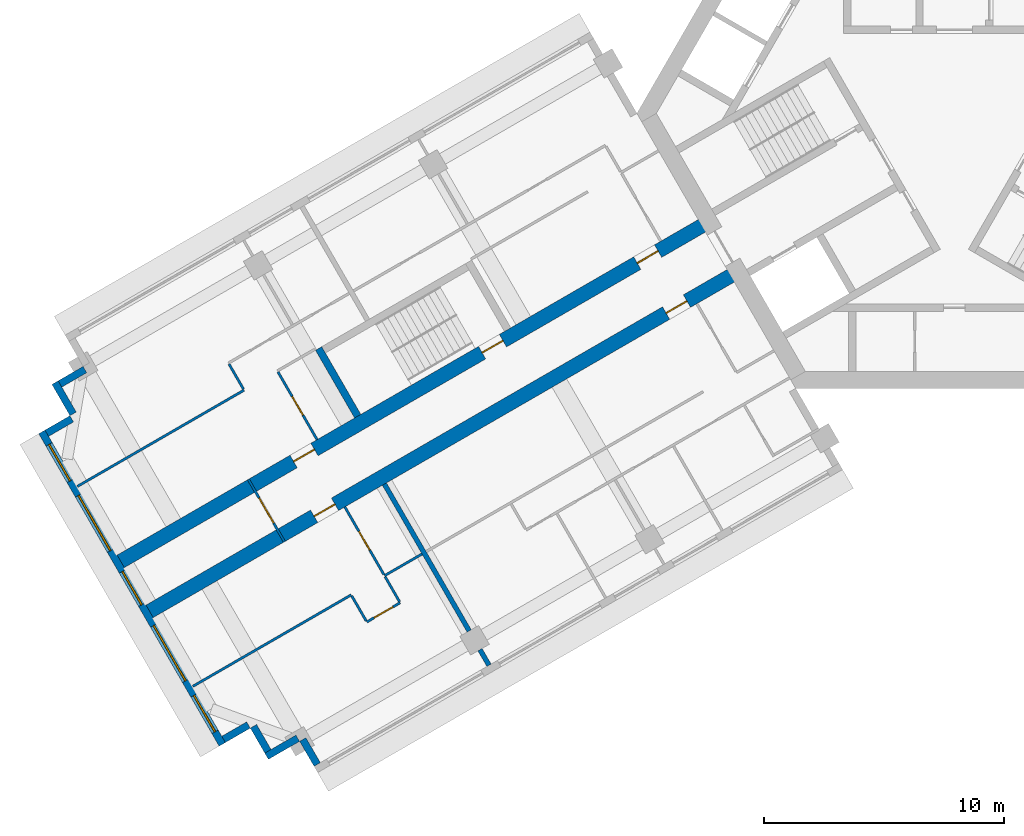
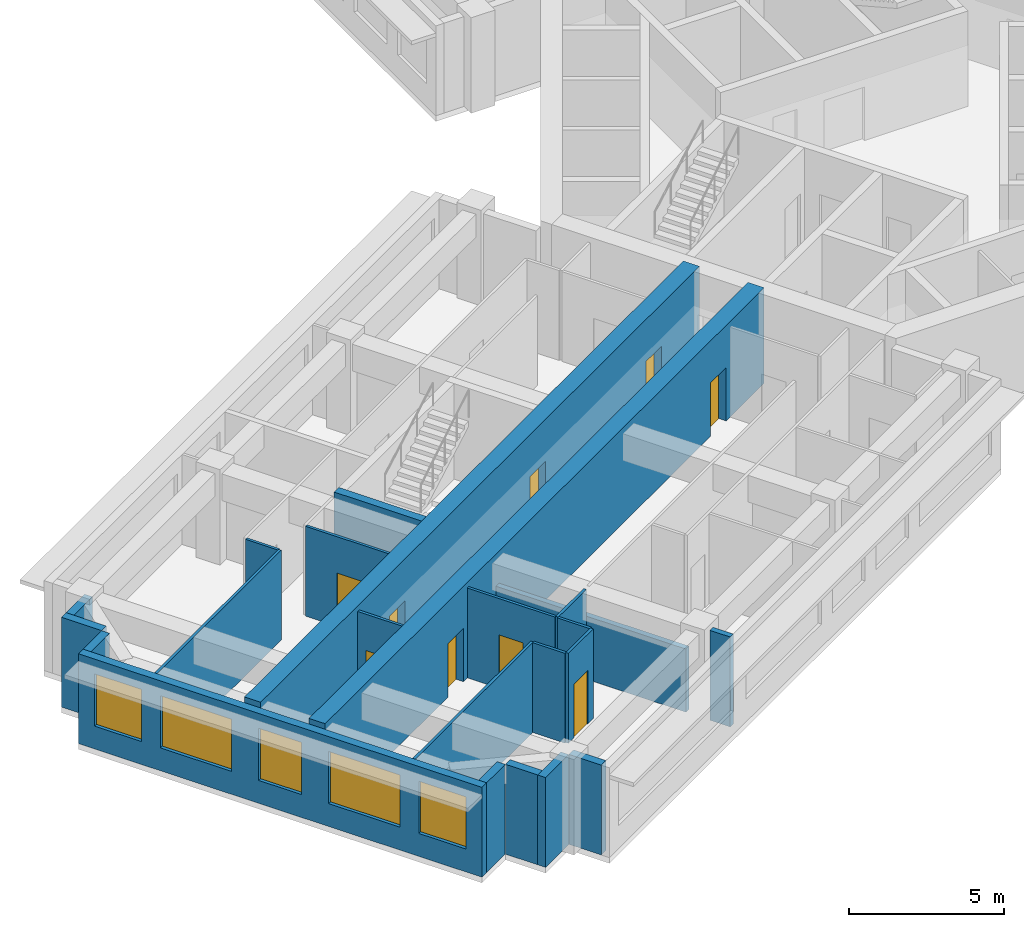
# One storey, part 2 of 10: 23 walls, 9 doors, 5 windows, 14 openings.
"""IFC4 building model written with IfcOpenShell, lengths in metres."""

from ifc_helpers import new_model, si_unit, direction, frame, frame_2d, origin, place, context, subcontext, project, spatial, rectangle, extrude, material, layer, layer_set, type_object, element, fill, save


model = new_model("IFC4")

# Units and contexts
model_context = context("Model", 3, precision=1e-05, world=origin(), true_north=direction((0.0, 1.0)))
body_context = subcontext(model_context, "Body", "Model", "MODEL_VIEW")
ifc_project = project(units=[si_unit("LENGTHUNIT", "METRE"), si_unit("AREAUNIT", "SQUARE_METRE"), si_unit("VOLUMEUNIT", "CUBIC_METRE"), si_unit("PLANEANGLEUNIT", "RADIAN"), si_unit("MASSUNIT", "GRAM", prefix="KILO")], contexts=[model_context])

# Site, building, storey
site_placement = place(None, origin())
site = spatial("IfcSite", under=ifc_project, at=site_placement, CompositionType="ELEMENT")
building_placement = place(site_placement, origin())
building = spatial("IfcBuilding", under=site, at=building_placement, Name="Impinga Residences", CompositionType="ELEMENT")
storey_placement = place(building_placement, frame((0.0, 0.0, 192.25)))
storey = spatial("IfcBuildingStorey", under=building, at=storey_placement, Name="L47", CompositionType="ELEMENT", Elevation=192.25)

# Wall, openings, doors
ifc_material_1 = material(Name="Concrete C60/75", Category="concrete")
ifc_layer_1 = layer(ifc_material_1, 0.60009765625)
ifc_layer_set_1 = layer_set([ifc_layer_1], Name="Concrete C60/75")
wall_type_1 = type_object("IfcWallType", Name="BW3 corridor buttress wall, L46 to L73 600", PredefinedType="SHEAR", material=ifc_layer_set_1)
wall_1_placement = place(storey_placement, frame((-8.996826171875, -6.580078125, 0.0), z_axis=(0.0, 0.0, 1.0), x_axis=(-0.866026415941, -0.499998246889, 0.0)))
wall_1 = element("IfcWall", 1, at=wall_1_placement, inside=storey, type_object=wall_type_1, Name="Corridor wall BW3 WC L47", PredefinedType="SHEAR", context=body_context, shape_type="SweptSolid", body=[
    extrude(rectangle(XDim=28.25, YDim=0.60009765625, at=frame_2d((14.125, 0.0))), origin(), (0.0, 0.0, 1.0), 3.75),
])
opening_1_placement = place(wall_1_placement, frame((2.449951171875, 0.0, 0.0)))
opening_1 = element("IfcOpeningElement", 2, at=opening_1_placement, cuts=wall_1, Name="Opening D1", PredefinedType="OPENING", context=body_context, shape_type="SweptSolid", body=[
    extrude(rectangle(XDim=1.0, YDim=2.10009765625, at=frame_2d((0.5, 1.050048828125))), frame((0.0, 0.31005859375, 0.0), z_axis=(0.0, -1.0, 0.0), x_axis=(1.0, 0.0, 0.0)), (0.0, 0.0, 1.0), 0.6201171875),
])
opening_2_placement = place(wall_1_placement, frame((19.35009765625, 0.0, 0.0)))
opening_2 = element("IfcOpeningElement", 3, at=opening_2_placement, cuts=wall_1, Name="Opening D1", PredefinedType="OPENING", context=body_context, shape_type="SweptSolid", body=[
    extrude(rectangle(XDim=1.0, YDim=2.10009765625, at=frame_2d((0.5, 1.050048828125))), frame((0.0, 0.31005859375, 0.0), z_axis=(0.0, -1.0, 0.0), x_axis=(1.0, 0.0, 0.0)), (0.0, 0.0, 1.0), 0.6201171875),
])
ifc_material_2 = material(Name="Timber door set", Category="wood")
door_type_1 = type_object("IfcDoorType", Name="D1 apartment entrance door 1000x2100", OperationType="SINGLE_SWING_LEFT", PredefinedType="DOOR", material=ifc_material_2)
door_1_placement = place(opening_1_placement, origin())
door_1 = element("IfcDoor", 4, at=door_1_placement, inside=storey, type_object=door_type_1, Name="Apartment L47-WA1 entrance", OperationType="SINGLE_SWING_LEFT", OverallHeight=2.10009765625, OverallWidth=1.0, PredefinedType="DOOR", context=body_context, shape_type="SweptSolid", body=[
    extrude(rectangle(XDim=1.0, YDim=2.10009765625, at=frame_2d((0.5, 1.050048828125))), frame((0.0, 0.02490234375, 0.0), z_axis=(0.0, -1.0, 0.0), x_axis=(1.0, 0.0, 0.0)), (0.0, 0.0, 1.0), 0.050048828125),
])
fill(opening_1, door_1)
door_2_placement = place(opening_2_placement, origin())
door_2 = element("IfcDoor", 5, at=door_2_placement, inside=storey, type_object=door_type_1, Name="Apartment L47-WA2 entrance", OperationType="SINGLE_SWING_RIGHT", OverallHeight=2.10009765625, OverallWidth=1.0, PredefinedType="DOOR", context=body_context, shape_type="SweptSolid", body=[
    extrude(rectangle(XDim=1.0, YDim=2.10009765625, at=frame_2d((0.5, 1.050048828125))), frame((0.0, 0.02490234375, 0.0), z_axis=(0.0, -1.0, 0.0), x_axis=(1.0, 0.0, 0.0)), (0.0, 0.0, 1.0), 0.050048828125),
])
fill(opening_2, door_2)

wall_2_placement = place(storey_placement, frame((-10.19677734375, -4.50146484375, 0.0), z_axis=(0.0, 0.0, 1.0), x_axis=(-0.866026415941, -0.499998246889, 0.0)))
wall_2 = element("IfcWall", 6, at=wall_2_placement, inside=storey, type_object=wall_type_1, Name="Corridor wall BW3 WD L47", PredefinedType="SHEAR", context=body_context, shape_type="SweptSolid", body=[
    extrude(rectangle(XDim=28.25, YDim=0.60009765625, at=frame_2d((14.125, 0.0))), origin(), (0.0, 0.0, 1.0), 3.75),
])
opening_3_placement = place(wall_2_placement, frame((9.89990234375, 0.0, 0.0)))
opening_3 = element("IfcOpeningElement", 7, at=opening_3_placement, cuts=wall_2, Name="Opening D5", PredefinedType="OPENING", context=body_context, shape_type="SweptSolid", body=[
    extrude(rectangle(XDim=1.0, YDim=2.10009765625, at=frame_2d((0.5, 1.050048828125))), frame((0.0, 0.31005859375, 0.0), z_axis=(0.0, -1.0, 0.0), x_axis=(1.0, 0.0, 0.0)), (0.0, 0.0, 1.0), 0.6201171875),
])
opening_4_placement = place(wall_2_placement, frame((2.449951171875, 0.0, 0.0)))
opening_4 = element("IfcOpeningElement", 8, at=opening_4_placement, cuts=wall_2, Name="Opening D1", PredefinedType="OPENING", context=body_context, shape_type="SweptSolid", body=[
    extrude(rectangle(XDim=1.0, YDim=2.10009765625, at=frame_2d((0.5, 1.050048828125))), frame((0.0, 0.31005859375, 0.0), z_axis=(0.0, -1.0, 0.0), x_axis=(1.0, 0.0, 0.0)), (0.0, 0.0, 1.0), 0.6201171875),
])
opening_5_placement = place(wall_2_placement, frame((18.949951171875, 0.0, 0.0)))
opening_5 = element("IfcOpeningElement", 9, at=opening_5_placement, cuts=wall_2, Name="Opening D1", PredefinedType="OPENING", context=body_context, shape_type="SweptSolid", body=[
    extrude(rectangle(XDim=1.0, YDim=2.10009765625, at=frame_2d((0.5, 1.050048828125))), frame((0.0, 0.31005859375, 0.0), z_axis=(0.0, -1.0, 0.0), x_axis=(1.0, 0.0, 0.0)), (0.0, 0.0, 1.0), 0.6201171875),
])
door_3_placement = place(opening_4_placement, origin())
door_3 = element("IfcDoor", 10, at=door_3_placement, inside=storey, type_object=door_type_1, Name="Apartment L47-WF1 entrance", OperationType="SINGLE_SWING_LEFT", OverallHeight=2.10009765625, OverallWidth=1.0, PredefinedType="DOOR", context=body_context, shape_type="SweptSolid", body=[
    extrude(rectangle(XDim=1.0, YDim=2.10009765625, at=frame_2d((0.5, 1.050048828125))), frame((0.0, 0.02490234375, 0.0), z_axis=(0.0, -1.0, 0.0), x_axis=(1.0, 0.0, 0.0)), (0.0, 0.0, 1.0), 0.050048828125),
])
fill(opening_4, door_3)
door_4_placement = place(opening_5_placement, origin())
door_4 = element("IfcDoor", 11, at=door_4_placement, inside=storey, type_object=door_type_1, Name="Apartment L47-WF2 entrance", OperationType="SINGLE_SWING_RIGHT", OverallHeight=2.10009765625, OverallWidth=1.0, PredefinedType="DOOR", context=body_context, shape_type="SweptSolid", body=[
    extrude(rectangle(XDim=1.0, YDim=2.10009765625, at=frame_2d((0.5, 1.050048828125))), frame((0.0, 0.02490234375, 0.0), z_axis=(0.0, -1.0, 0.0), x_axis=(1.0, 0.0, 0.0)), (0.0, 0.0, 1.0), 0.050048828125),
])
fill(opening_5, door_4)
door_type_2 = type_object("IfcDoorType", Name="D5 stair door 1000x2100", OperationType="SINGLE_SWING_LEFT", PredefinedType="DOOR", material=ifc_material_2)
door_5_placement = place(opening_3_placement, origin())
door_5 = element("IfcDoor", 12, at=door_5_placement, inside=storey, type_object=door_type_2, Name="Wing stair door W", OperationType="SINGLE_SWING_LEFT", OverallHeight=2.10009765625, OverallWidth=1.0, PredefinedType="DOOR", context=body_context, shape_type="SweptSolid", body=[
    extrude(rectangle(XDim=1.0, YDim=2.10009765625, at=frame_2d((0.5, 1.050048828125))), frame((0.0, 0.02490234375, 0.0), z_axis=(0.0, -1.0, 0.0), x_axis=(1.0, 0.0, 0.0)), (0.0, 0.0, 1.0), 0.050048828125),
])
fill(opening_3, door_5)

# Wall, opening, door
ifc_material_3 = material(Name="Concrete blockwork", Category="masonry")
ifc_layer_2 = layer(ifc_material_3, 0.10009765625)
ifc_layer_set_2 = layer_set([ifc_layer_2], Name="CP1 core room partition, blockwork 100")
wall_type_2 = type_object("IfcWallType", Name="CP1 core room partition, blockwork 100", PredefinedType="PARTITIONING", material=ifc_layer_set_2)
wall_3_placement = place(storey_placement, frame((-27.856201171875, -17.814697265625, 0.0), z_axis=(0.0, 0.0, 1.0), x_axis=(-0.50002537861, 0.866010750942, 0.0)))
wall_3 = element("IfcWall", 13, at=wall_3_placement, inside=storey, type_object=wall_type_2, Name="Core room partition, blockwork L47:W:LNG", PredefinedType="PARTITIONING", context=body_context, shape_type="SweptSolid", body=[
    extrude(rectangle(XDim=2.999755859375, YDim=0.10009765625, at=frame_2d((1.5, 0.0))), origin(), (0.0, 0.0, 1.0), 3.530029296875),
])
opening_6_placement = place(wall_3_placement, frame((0.89990234375, 0.0, 0.0)))
opening_6 = element("IfcOpeningElement", 14, at=opening_6_placement, cuts=wall_3, Name="Opening D3", PredefinedType="OPENING", context=body_context, shape_type="SweptSolid", body=[
    extrude(rectangle(XDim=1.199951171875, YDim=2.10009765625, at=frame_2d((0.60009765625, 1.050048828125))), frame((0.0, 0.06005859375, 0.0), z_axis=(0.0, -1.0, 0.0), x_axis=(1.0, 0.0, 0.0)), (0.0, 0.0, 1.0), 0.1201171875),
])
door_type_3 = type_object("IfcDoorType", Name="D3 room door, leaf and a half 1200x2100", OperationType="DOUBLE_SWING_LEFT", PredefinedType="DOOR", material=ifc_material_2)
door_6_placement = place(opening_6_placement, origin())
door_6 = element("IfcDoor", 15, at=door_6_placement, inside=storey, type_object=door_type_3, Name="Residents' lounge door W", OperationType="DOUBLE_SWING_LEFT", OverallHeight=2.10009765625, OverallWidth=1.199951171875, PredefinedType="DOOR", context=body_context, shape_type="SweptSolid", body=[
    extrude(rectangle(XDim=1.199951171875, YDim=2.10009765625, at=frame_2d((0.60009765625, 1.050048828125))), frame((0.0, 0.02490234375, 0.0), z_axis=(0.0, -1.0, 0.0), x_axis=(1.0, 0.0, 0.0)), (0.0, 0.0, 1.0), 0.050048828125),
])
fill(opening_6, door_6)

# Walls
ifc_material_4 = material(Name="Terracotta rainscreen on blockwork", Category="masonry")
ifc_layer_3 = layer(ifc_material_4, 0.300048828125)
ifc_layer_set_3 = layer_set([ifc_layer_3], Name="EW1 external wall, terracotta rainscreen on blockwork 300")
wall_type_3 = type_object("IfcWallType", Name="EW1 external wall, terracotta rainscreen on blockwork 300", PredefinedType="SOLIDWALL", material=ifc_layer_set_3)
wall_4_placement = place(storey_placement, frame((-26.493896484375, -27.07421875, 0.0), z_axis=(0.0, 0.0, 1.0), x_axis=(-0.500033551112, 0.866006032174, 0.0)))
element("IfcWall", 16, at=wall_4_placement, inside=storey, type_object=wall_type_3, Name="External wall EW1 L47", PredefinedType="SOLIDWALL", context=body_context, shape_type="SweptSolid", body=[
    extrude(rectangle(XDim=1.2001953125, YDim=0.300048828125, at=frame_2d((0.60009765625, 0.0))), origin(), (0.0, 0.0, 1.0), 3.530029296875),
])
wall_5_placement = place(storey_placement, frame((-27.30322265625, -25.982666015625, 0.0), z_axis=(0.0, 0.0, 1.0), x_axis=(-0.866074087889, -0.499915667175, 0.0)))
element("IfcWall", 17, at=wall_5_placement, inside=storey, type_object=wall_type_3, Name="External wall EW1 L47", PredefinedType="SOLIDWALL", context=body_context, shape_type="SweptSolid", body=[
    extrude(rectangle(XDim=1.494873046875, YDim=0.300048828125, at=frame_2d((0.74755859375, 0.0))), origin(), (0.0, 0.0, 1.0), 3.530029296875),
])
wall_6_placement = place(storey_placement, frame((-28.54296875, -26.525146484375, 0.0), z_axis=(0.0, 0.0, 1.0), x_axis=(-0.500033551112, 0.866006032174, 0.0)))
element("IfcWall", 18, at=wall_6_placement, inside=storey, type_object=wall_type_3, Name="External wall EW1 L47", PredefinedType="SOLIDWALL", context=body_context, shape_type="SweptSolid", body=[
    extrude(rectangle(XDim=1.2001953125, YDim=0.300048828125, at=frame_2d((0.60009765625, 0.0))), origin(), (0.0, 0.0, 1.0), 3.530029296875),
])
wall_7_placement = place(storey_placement, frame((-29.352294921875, -25.43359375, 0.0), z_axis=(0.0, 0.0, 1.0), x_axis=(-0.866059708757, -0.499940577336, 0.0)))
element("IfcWall", 19, at=wall_7_placement, inside=storey, type_object=wall_type_3, Name="External wall EW1 L47", PredefinedType="SOLIDWALL", context=body_context, shape_type="SweptSolid", body=[
    extrude(rectangle(XDim=1.195068359375, YDim=0.300048828125, at=frame_2d((0.59765625, 0.0))), origin(), (0.0, 0.0, 1.0), 3.530029296875),
])

# Wall, openings, windows
wall_8_placement = place(storey_placement, frame((-30.44189453125, -26.23583984375, 0.0), z_axis=(0.0, 0.0, 1.0), x_axis=(-0.500004234368, 0.866022959057, 0.0)))
wall_8 = element("IfcWall", 20, at=wall_8_placement, inside=storey, type_object=wall_type_3, Name="External wall EW1 L47", PredefinedType="SOLIDWALL", context=body_context, shape_type="SweptSolid", body=[
    extrude(rectangle(XDim=14.999755859375, YDim=0.300048828125, at=frame_2d((7.5, 0.0))), origin(), (0.0, 0.0, 1.0), 3.530029296875),
])
opening_7_placement = place(wall_8_placement, frame((0.60009765625, 0.0, 0.89990234375)))
opening_7 = element("IfcOpeningElement", 21, at=opening_7_placement, cuts=wall_8, Name="Opening W1", PredefinedType="OPENING", context=body_context, shape_type="SweptSolid", body=[
    extrude(rectangle(XDim=1.75, YDim=2.050048828125, at=frame_2d((0.875, 1.02490234375))), frame((0.0, 0.159912109375, 0.0), z_axis=(0.0, -1.0, 0.0), x_axis=(1.0, 0.0, 0.0)), (0.0, 0.0, 1.0), 0.320068359375),
])
opening_8_placement = place(wall_8_placement, frame((3.050048828125, 0.0, 0.89990234375)))
opening_8 = element("IfcOpeningElement", 22, at=opening_8_placement, cuts=wall_8, Name="Opening W18", PredefinedType="OPENING", context=body_context, shape_type="SweptSolid", body=[
    extrude(rectangle(XDim=2.64990234375, YDim=2.050048828125, at=frame_2d((1.324951171875, 1.02490234375))), frame((0.0, 0.159912109375, 0.0), z_axis=(0.0, -1.0, 0.0), x_axis=(1.0, 0.0, 0.0)), (0.0, 0.0, 1.0), 0.320068359375),
])
opening_9_placement = place(wall_8_placement, frame((6.699951171875, 0.0, 0.89990234375)))
opening_9 = element("IfcOpeningElement", 23, at=opening_9_placement, cuts=wall_8, Name="Opening W19", PredefinedType="OPENING", context=body_context, shape_type="SweptSolid", body=[
    extrude(rectangle(XDim=1.60009765625, YDim=2.050048828125, at=frame_2d((0.800048828125, 1.02490234375))), frame((0.0, 0.159912109375, 0.0), z_axis=(0.0, -1.0, 0.0), x_axis=(1.0, 0.0, 0.0)), (0.0, 0.0, 1.0), 0.320068359375),
])
opening_10_placement = place(wall_8_placement, frame((9.300048828125, 0.0, 0.89990234375)))
opening_10 = element("IfcOpeningElement", 24, at=opening_10_placement, cuts=wall_8, Name="Opening W18", PredefinedType="OPENING", context=body_context, shape_type="SweptSolid", body=[
    extrude(rectangle(XDim=2.64990234375, YDim=2.050048828125, at=frame_2d((1.324951171875, 1.02490234375))), frame((0.0, 0.159912109375, 0.0), z_axis=(0.0, -1.0, 0.0), x_axis=(1.0, 0.0, 0.0)), (0.0, 0.0, 1.0), 0.320068359375),
])
opening_11_placement = place(wall_8_placement, frame((12.64990234375, 0.0, 0.89990234375)))
opening_11 = element("IfcOpeningElement", 25, at=opening_11_placement, cuts=wall_8, Name="Opening W1", PredefinedType="OPENING", context=body_context, shape_type="SweptSolid", body=[
    extrude(rectangle(XDim=1.75, YDim=2.050048828125, at=frame_2d((0.875, 1.02490234375))), frame((0.0, 0.159912109375, 0.0), z_axis=(0.0, -1.0, 0.0), x_axis=(1.0, 0.0, 0.0)), (0.0, 0.0, 1.0), 0.320068359375),
])
ifc_material_5 = material(Name="Aluminium window, clear double glazing", Category="aluminium")
window_type_1 = type_object("IfcWindowType", Name="W1 ribbon window 1750x2050", PartitioningType="SINGLE_PANEL", PredefinedType="WINDOW", material=ifc_material_5)
window_1_placement = place(opening_7_placement, origin())
window_1 = element("IfcWindow", 26, at=window_1_placement, inside=storey, type_object=window_type_1, Name="Window L47", OverallHeight=2.050048828125, OverallWidth=1.75, PartitioningType="SINGLE_PANEL", PredefinedType="WINDOW", context=body_context, shape_type="SweptSolid", body=[
    extrude(rectangle(XDim=1.75, YDim=2.050048828125, at=frame_2d((0.875, 1.02490234375))), frame((0.0, 0.030029296875, 0.0), z_axis=(0.0, -1.0, 0.0), x_axis=(1.0, 0.0, 0.0)), (0.0, 0.0, 1.0), 0.06005859375),
])
fill(opening_7, window_1)
window_2_placement = place(opening_11_placement, origin())
window_2 = element("IfcWindow", 27, at=window_2_placement, inside=storey, type_object=window_type_1, Name="Window L47", OverallHeight=2.050048828125, OverallWidth=1.75, PartitioningType="SINGLE_PANEL", PredefinedType="WINDOW", context=body_context, shape_type="SweptSolid", body=[
    extrude(rectangle(XDim=1.75, YDim=2.050048828125, at=frame_2d((0.875, 1.02490234375))), frame((0.0, 0.030029296875, 0.0), z_axis=(0.0, -1.0, 0.0), x_axis=(1.0, 0.0, 0.0)), (0.0, 0.0, 1.0), 0.06005859375),
])
fill(opening_11, window_2)
window_type_2 = type_object("IfcWindowType", Name="W18 ribbon window 2650x2050", PartitioningType="SINGLE_PANEL", PredefinedType="WINDOW", material=ifc_material_5)
window_3_placement = place(opening_8_placement, origin())
window_3 = element("IfcWindow", 28, at=window_3_placement, inside=storey, type_object=window_type_2, Name="Window L47", OverallHeight=2.050048828125, OverallWidth=2.64990234375, PartitioningType="SINGLE_PANEL", PredefinedType="WINDOW", context=body_context, shape_type="SweptSolid", body=[
    extrude(rectangle(XDim=2.64990234375, YDim=2.050048828125, at=frame_2d((1.324951171875, 1.02490234375))), frame((0.0, 0.030029296875, 0.0), z_axis=(0.0, -1.0, 0.0), x_axis=(1.0, 0.0, 0.0)), (0.0, 0.0, 1.0), 0.06005859375),
])
fill(opening_8, window_3)
window_4_placement = place(opening_10_placement, origin())
window_4 = element("IfcWindow", 29, at=window_4_placement, inside=storey, type_object=window_type_2, Name="Window L47", OverallHeight=2.050048828125, OverallWidth=2.64990234375, PartitioningType="SINGLE_PANEL", PredefinedType="WINDOW", context=body_context, shape_type="SweptSolid", body=[
    extrude(rectangle(XDim=2.64990234375, YDim=2.050048828125, at=frame_2d((1.324951171875, 1.02490234375))), frame((0.0, 0.030029296875, 0.0), z_axis=(0.0, -1.0, 0.0), x_axis=(1.0, 0.0, 0.0)), (0.0, 0.0, 1.0), 0.06005859375),
])
fill(opening_10, window_4)
window_type_3 = type_object("IfcWindowType", Name="W19 ribbon window 1600x2050", PartitioningType="SINGLE_PANEL", PredefinedType="WINDOW", material=ifc_material_5)
window_5_placement = place(opening_9_placement, origin())
window_5 = element("IfcWindow", 30, at=window_5_placement, inside=storey, type_object=window_type_3, Name="Window L47", OverallHeight=2.050048828125, OverallWidth=1.60009765625, PartitioningType="SINGLE_PANEL", PredefinedType="WINDOW", context=body_context, shape_type="SweptSolid", body=[
    extrude(rectangle(XDim=1.60009765625, YDim=2.050048828125, at=frame_2d((0.800048828125, 1.02490234375))), frame((0.0, 0.030029296875, 0.0), z_axis=(0.0, -1.0, 0.0), x_axis=(1.0, 0.0, 0.0)), (0.0, 0.0, 1.0), 0.06005859375),
])
fill(opening_9, window_5)

# Walls
wall_9_placement = place(storey_placement, frame((-37.737060546875, -13.300537109375, 0.0), z_axis=(0.0, 0.0, 1.0), x_axis=(0.865971243484, 0.500093796661, 0.0)))
element("IfcWall", 31, at=wall_9_placement, inside=storey, type_object=wall_type_3, Name="External wall EW1 L47", PredefinedType="SOLIDWALL", context=body_context, shape_type="SweptSolid", body=[
    extrude(rectangle(XDim=1.195068359375, YDim=0.300048828125, at=frame_2d((0.59765625, 0.0))), origin(), (0.0, 0.0, 1.0), 3.530029296875),
])
wall_10_placement = place(storey_placement, frame((-36.64306640625, -12.49560546875, 0.0), z_axis=(0.0, 0.0, 1.0), x_axis=(-0.499990139034, 0.866031096941, 0.0)))
element("IfcWall", 32, at=wall_10_placement, inside=storey, type_object=wall_type_3, Name="External wall EW1 L47", PredefinedType="SOLIDWALL", context=body_context, shape_type="SweptSolid", body=[
    extrude(rectangle(XDim=1.5, YDim=0.300048828125, at=frame_2d((0.75, 0.0))), origin(), (0.0, 0.0, 1.0), 3.530029296875),
])
wall_11_placement = place(storey_placement, frame((-37.18798828125, -11.25146484375, 0.0), z_axis=(0.0, 0.0, 1.0), x_axis=(0.866059708757, 0.499940577336, 0.0)))
element("IfcWall", 33, at=wall_11_placement, inside=storey, type_object=wall_type_3, Name="External wall EW1 L47", PredefinedType="SOLIDWALL", context=body_context, shape_type="SweptSolid", body=[
    extrude(rectangle(XDim=1.195068359375, YDim=0.300048828125, at=frame_2d((0.59765625, 0.0))), origin(), (0.0, 0.0, 1.0), 3.530029296875),
])
ifc_material_6 = material(Name="Gypsum board on steel studs", Category="steel")
ifc_layer_4 = layer(ifc_material_6, 0.10009765625)
ifc_layer_set_4 = layer_set([ifc_layer_4], Name="Gypsum board on steel studs")
wall_type_4 = type_object("IfcWallType", Name="IP1 partition 100", PredefinedType="PARTITIONING", material=ifc_layer_set_4)
wall_12_placement = place(storey_placement, frame((-22.1357421875, -18.32275390625, 0.0), z_axis=(0.0, 0.0, 1.0), x_axis=(-0.866047807691, -0.499961193289, 0.0)))
element("IfcWall", 34, at=wall_12_placement, inside=storey, type_object=wall_type_4, Name="Partition L47-WA2:DIV0", PredefinedType="PARTITIONING", context=body_context, shape_type="SweptSolid", body=[
    extrude(rectangle(XDim=1.800048828125, YDim=0.10009765625, at=frame_2d((0.89990234375, 0.0))), origin(), (0.0, 0.0, 1.0), 3.530029296875),
])
wall_13_placement = place(storey_placement, frame((-25.080322265625, -20.022705078125, 0.0), z_axis=(0.0, 0.0, 1.0), x_axis=(-0.866022425744, -0.500005158081, 0.0)))
element("IfcWall", 35, at=wall_13_placement, inside=storey, type_object=wall_type_4, Name="Partition L47-WA2:DIV1", PredefinedType="PARTITIONING", context=body_context, shape_type="SweptSolid", body=[
    extrude(rectangle(XDim=7.60009765625, YDim=0.10009765625, at=frame_2d((3.800048828125, 0.0))), origin(), (0.0, 0.0, 1.0), 3.530029296875),
])

# Wall, opening, door
wall_14_placement = place(storey_placement, frame((-23.044677734375, -20.3486328125, 0.0), z_axis=(0.0, 0.0, 1.0), x_axis=(-0.866094119867, -0.499880961361, 0.0)))
wall_14 = element("IfcWall", 36, at=wall_14_placement, inside=storey, type_object=wall_type_4, Name="Partition L47-WA2:STRIP", PredefinedType="PARTITIONING", context=body_context, shape_type="SweptSolid", body=[
    extrude(rectangle(XDim=1.60009765625, YDim=0.10009765625, at=frame_2d((0.800048828125, 0.0))), origin(), (0.0, 0.0, 1.0), 3.530029296875),
])
opening_12_placement = place(wall_14_placement, frame((0.35009765625, 0.0, 0.0)))
opening_12 = element("IfcOpeningElement", 37, at=opening_12_placement, cuts=wall_14, Name="Opening D2", PredefinedType="OPENING", context=body_context, shape_type="SweptSolid", body=[
    extrude(rectangle(XDim=0.89990234375, YDim=2.10009765625, at=frame_2d((0.449951171875, 1.050048828125))), frame((0.0, 0.06005859375, 0.0), z_axis=(0.0, -1.0, 0.0), x_axis=(1.0, 0.0, 0.0)), (0.0, 0.0, 1.0), 0.1201171875),
])
door_type_4 = type_object("IfcDoorType", Name="D2 internal door 900x2100", OperationType="SINGLE_SWING_LEFT", PredefinedType="DOOR", material=ifc_material_2)
door_7_placement = place(opening_12_placement, origin())
door_7 = element("IfcDoor", 38, at=door_7_placement, inside=storey, type_object=door_type_4, Name="Apartment L47-WA2 room door", OperationType="SINGLE_SWING_LEFT", OverallHeight=2.10009765625, OverallWidth=0.89990234375, PredefinedType="DOOR", context=body_context, shape_type="SweptSolid", body=[
    extrude(rectangle(XDim=0.89990234375, YDim=2.10009765625, at=frame_2d((0.449951171875, 1.050048828125))), frame((0.0, 0.02490234375, 0.0), z_axis=(0.0, -1.0, 0.0), x_axis=(1.0, 0.0, 0.0)), (0.0, 0.0, 1.0), 0.050048828125),
])
fill(opening_12, door_7)

# Walls
for number, where, z_axis, x_axis, name in (
    (39, (-23.669677734375, -19.265869140625, 0.0), (0.0, 0.0, 1.0), (0.500033551112, -0.866006032174, 0.0), "Partition L47-WA2:SE0"),
    (40, (-25.055419921875, -20.06591796875, 0.0), (0.0, 0.0, 1.0), (0.500033551112, -0.866006032174, 0.0), "Partition L47-WA2:SE1"),
):
    element("IfcWall", number, at=place(storey_placement, frame(where, z_axis=z_axis, x_axis=x_axis)), inside=storey, type_object=wall_type_4, Name=name, PredefinedType="PARTITIONING", context=body_context, shape_type="SweptSolid", body=[
        extrude(rectangle(XDim=1.2001953125, YDim=0.10009765625, at=frame_2d((0.60009765625, 0.0))), origin(), (0.0, 0.0, 1.0), 3.530029296875),
    ])

# Wall, opening, door
wall_15_placement = place(storey_placement, frame((-25.3447265625, -16.36474609375, 0.0), z_axis=(0.0, 0.0, 1.0), x_axis=(0.499984717929, -0.866034226713, 0.0)))
wall_15 = element("IfcWall", 41, at=wall_15_placement, inside=storey, type_object=wall_type_4, Name="Partition L47-WA2:IB1", PredefinedType="PARTITIONING", context=body_context, shape_type="SweptSolid", body=[
    extrude(rectangle(XDim=3.25, YDim=0.10009765625, at=frame_2d((1.625, 0.0))), origin(), (0.0, 0.0, 1.0), 3.530029296875),
])
opening_13_placement = place(wall_15_placement, frame((1.175048828125, 0.0, 0.0)))
opening_13 = element("IfcOpeningElement", 42, at=opening_13_placement, cuts=wall_15, Name="Opening D2", PredefinedType="OPENING", context=body_context, shape_type="SweptSolid", body=[
    extrude(rectangle(XDim=0.89990234375, YDim=2.10009765625, at=frame_2d((0.449951171875, 1.050048828125))), frame((0.0, 0.06005859375, 0.0), z_axis=(0.0, -1.0, 0.0), x_axis=(1.0, 0.0, 0.0)), (0.0, 0.0, 1.0), 0.1201171875),
])
door_8_placement = place(opening_13_placement, origin())
door_8 = element("IfcDoor", 43, at=door_8_placement, inside=storey, type_object=door_type_4, Name="Apartment L47-WA2 bathroom door", OperationType="SINGLE_SWING_LEFT", OverallHeight=2.10009765625, OverallWidth=0.89990234375, PredefinedType="DOOR", context=body_context, shape_type="SweptSolid", body=[
    extrude(rectangle(XDim=0.89990234375, YDim=2.10009765625, at=frame_2d((0.449951171875, 1.050048828125))), frame((0.0, 0.02490234375, 0.0), z_axis=(0.0, -1.0, 0.0), x_axis=(1.0, 0.0, 0.0)), (0.0, 0.0, 1.0), 0.050048828125),
])
fill(opening_13, door_8)

# Walls
wall_16_placement = place(storey_placement, frame((-29.533935546875, -11.5087890625, 0.0), z_axis=(0.0, 0.0, 1.0), x_axis=(-0.866026010844, -0.49999894854, 0.0)))
element("IfcWall", 44, at=wall_16_placement, inside=storey, type_object=wall_type_4, Name="Partition L47-WF2:DIV1", PredefinedType="PARTITIONING", context=body_context, shape_type="SweptSolid", body=[
    extrude(rectangle(XDim=8.0, YDim=0.10009765625, at=frame_2d((4.0, 0.0))), origin(), (0.0, 0.0, 1.0), 3.530029296875),
])
wall_17_placement = place(storey_placement, frame((-29.558837890625, -11.465576171875, 0.0), z_axis=(0.0, 0.0, 1.0), x_axis=(-0.500033551112, 0.866006032174, 0.0)))
element("IfcWall", 45, at=wall_17_placement, inside=storey, type_object=wall_type_4, Name="Partition L47-WF2:SE1", PredefinedType="PARTITIONING", context=body_context, shape_type="SweptSolid", body=[
    extrude(rectangle(XDim=1.2001953125, YDim=0.10009765625, at=frame_2d((0.60009765625, 0.0))), origin(), (0.0, 0.0, 1.0), 3.530029296875),
])

# Wall, opening, door
wall_18_placement = place(storey_placement, frame((-26.498291015625, -13.566650390625, 0.0), z_axis=(0.0, 0.0, 1.0), x_axis=(-0.500017246033, 0.866015446554, 0.0)))
wall_18 = element("IfcWall", 46, at=wall_18_placement, inside=storey, type_object=wall_type_4, Name="Partition L47-WF2:IB1", PredefinedType="PARTITIONING", context=body_context, shape_type="SweptSolid", body=[
    extrude(rectangle(XDim=3.25, YDim=0.10009765625, at=frame_2d((1.625, 0.0))), origin(), (0.0, 0.0, 1.0), 3.530029296875),
])
opening_14_placement = place(wall_18_placement, frame((1.175048828125, 0.0, 0.0)))
opening_14 = element("IfcOpeningElement", 47, at=opening_14_placement, cuts=wall_18, Name="Opening D2", PredefinedType="OPENING", context=body_context, shape_type="SweptSolid", body=[
    extrude(rectangle(XDim=0.89990234375, YDim=2.10009765625, at=frame_2d((0.449951171875, 1.050048828125))), frame((0.0, 0.06005859375, 0.0), z_axis=(0.0, -1.0, 0.0), x_axis=(1.0, 0.0, 0.0)), (0.0, 0.0, 1.0), 0.1201171875),
])
door_9_placement = place(opening_14_placement, origin())
door_9 = element("IfcDoor", 48, at=door_9_placement, inside=storey, type_object=door_type_4, Name="Apartment L47-WF2 bathroom door", OperationType="SINGLE_SWING_LEFT", OverallHeight=2.10009765625, OverallWidth=0.89990234375, PredefinedType="DOOR", context=body_context, shape_type="SweptSolid", body=[
    extrude(rectangle(XDim=0.89990234375, YDim=2.10009765625, at=frame_2d((0.449951171875, 1.050048828125))), frame((0.0, 0.02490234375, 0.0), z_axis=(0.0, -1.0, 0.0), x_axis=(1.0, 0.0, 0.0)), (0.0, 0.0, 1.0), 0.050048828125),
])
fill(opening_14, door_9)

# Walls
ifc_layer_5 = layer(ifc_material_3, 0.199951171875)
ifc_layer_set_5 = layer_set([ifc_layer_5], Name="PW1 party wall between apartments 200")
wall_type_5 = type_object("IfcWallType", Name="PW1 party wall between apartments 200", PredefinedType="SOLIDWALL", material=ifc_layer_set_5)
wall_19_placement = place(storey_placement, frame((-23.69921875, -15.414794921875, 0.0), z_axis=(0.0, 0.0, 1.0), x_axis=(0.499990246421, -0.866031034943, 0.0)))
element("IfcWall", 49, at=wall_19_placement, inside=storey, type_object=wall_type_5, Name="Party wall between apartments L47-WA1:PARTY", PredefinedType="SOLIDWALL", context=body_context, shape_type="SweptSolid", body=[
    extrude(rectangle(XDim=7.050048828125, YDim=0.199951171875, at=frame_2d((3.52490234375, 0.0))), origin(), (0.0, 0.0, 1.0), 2.47998046875),
])
wall_20_placement = place(storey_placement, frame((-19.72412109375, -22.2998046875, 0.0), z_axis=(0.0, 0.0, 1.0), x_axis=(0.500060622324, -0.86599040064, 0.0)))
element("IfcWall", 50, at=wall_20_placement, inside=storey, type_object=wall_type_5, Name="Party wall between apartments L47-WA1:PARTYb", PredefinedType="SOLIDWALL", context=body_context, shape_type="SweptSolid", body=[
    extrude(rectangle(XDim=0.75, YDim=0.199951171875, at=frame_2d((0.375, 0.0))), origin(), (0.0, 0.0, 1.0), 3.530029296875),
])
ifc_layer_6 = layer(ifc_material_1, 0.300048828125)
ifc_layer_set_6 = layer_set([ifc_layer_6], Name="Concrete C60/75")
wall_type_6 = type_object("IfcWallType", Name="SE1 wing stair enclosure wall 300", PredefinedType="SOLIDWALL", material=ifc_layer_set_6)
wall_21_placement = place(storey_placement, frame((-24.8095703125, -12.591796875, 0.0), z_axis=(0.0, 0.0, 1.0), x_axis=(-0.499984717929, 0.866034226713, 0.0)))
element("IfcWall", 51, at=wall_21_placement, inside=storey, type_object=wall_type_6, Name="Stair enclosure wall SE1 W END1 L47", PredefinedType="SOLIDWALL", context=body_context, shape_type="SweptSolid", body=[
    extrude(rectangle(XDim=3.25, YDim=0.300048828125, at=frame_2d((1.625, 0.0))), origin(), (0.0, 0.0, 1.0), 3.75),
])

save(model, "model.ifc")
